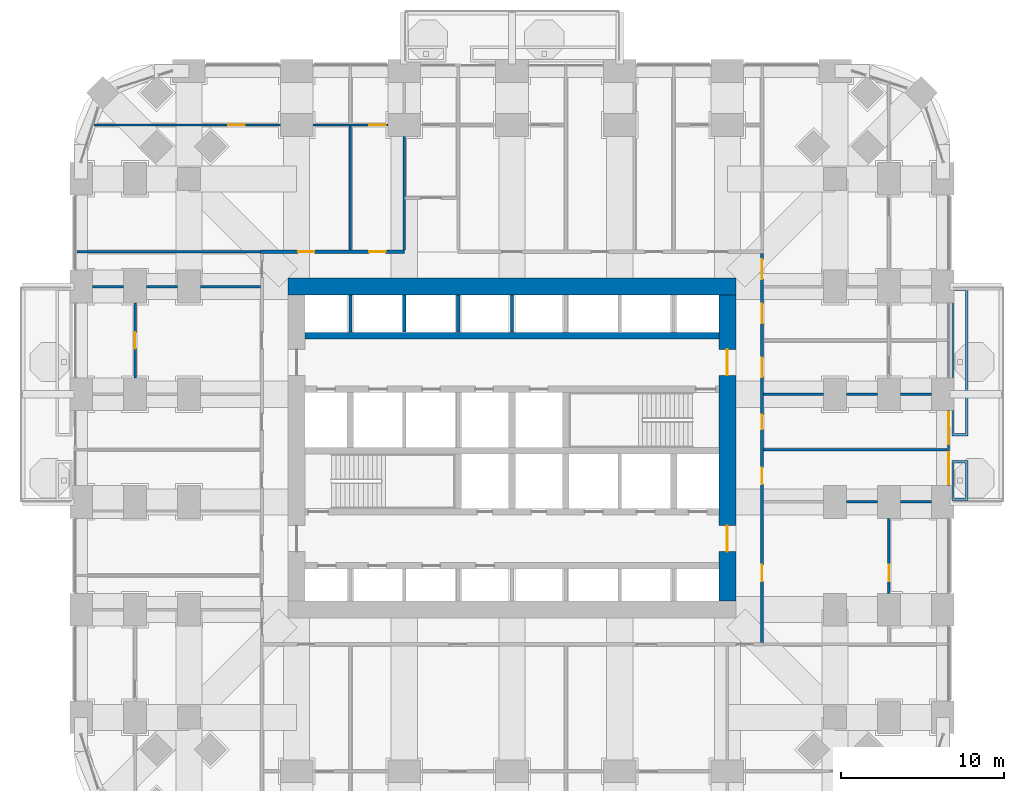
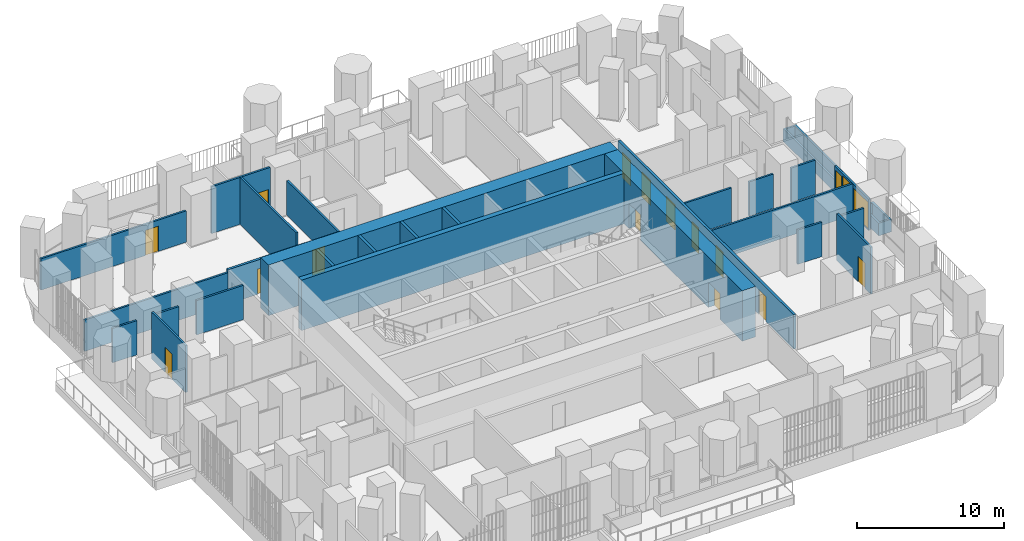
# One storey, part 18 of 25: 28 walls, 15 doors, 2 windows, 17 openings.
"""IFC4 building model written with IfcOpenShell, lengths in metres."""

from ifc_helpers import new_model, si_unit, direction, frame, frame_2d, origin, place, context, subcontext, project, spatial, polyline, rectangle, outline, extrude, material, layer, layer_set, type_object, element, fill, save


model = new_model("IFC4")

# Units and contexts
model_context = context("Model", 3, precision=1e-05, world=origin(), true_north=direction((0.0, 1.0)))
body_context = subcontext(model_context, "Body", "Model", "MODEL_VIEW")
ifc_project = project(units=[si_unit("LENGTHUNIT", "METRE"), si_unit("AREAUNIT", "SQUARE_METRE"), si_unit("VOLUMEUNIT", "CUBIC_METRE"), si_unit("PLANEANGLEUNIT", "RADIAN"), si_unit("MASSUNIT", "GRAM", prefix="KILO")], contexts=[model_context])

# Site, building, storey
site_placement = place(None, origin())
site = spatial("IfcSite", under=ifc_project, at=site_placement, CompositionType="ELEMENT")
building_placement = place(site_placement, origin())
building = spatial("IfcBuilding", under=site, at=building_placement, Name="Cobogo Forest Laboratory Tower", CompositionType="ELEMENT")
storey_placement = place(building_placement, frame((0.0, 0.0, 67.5)))
storey = spatial("IfcBuildingStorey", under=building, at=storey_placement, Name="L15", CompositionType="ELEMENT", Elevation=67.5)

# Wall
ifc_material_1 = material(Name="Concrete HA-50 (C50/60)", Category="concrete")
ifc_layer_1 = layer(ifc_material_1, 0.39990234375)
ifc_layer_set_1 = layer_set([ifc_layer_1], Name="CI400 core inner wall 400")
wall_type_1 = type_object("IfcWallType", Name="CI400 core inner wall 400", PredefinedType="SHEAR", material=ifc_layer_set_1)
wall_1_placement = place(storey_placement, frame((13.72509765625, 30.0, 0.0), z_axis=(0.0, 0.0, 1.0), x_axis=(1.0, 0.0, 0.0)))
element("IfcWall", 1, at=wall_1_placement, inside=storey, type_object=wall_type_1, Name="Core wall CI-30.0 L15", PredefinedType="SHEAR", context=body_context, shape_type="SweptSolid", body=[
    extrude(rectangle(XDim=25.349853515625, YDim=0.39990234375, at=frame_2d((12.6748046875, 0.0))), origin(), (0.0, 0.0, 1.0), 4.199951171875),
])

# Wall, openings, doors
ifc_layer_2 = layer(ifc_material_1, 1.050048828125)
ifc_layer_set_2 = layer_set([ifc_layer_2], Name="CW1050 core outer wall 1050")
wall_type_2 = type_object("IfcWallType", Name="CW1050 core outer wall 1050", PredefinedType="SHEAR", material=ifc_layer_set_2)
wall_2_placement = place(storey_placement, frame((39.60009765625, 13.72509765625, 0.0), z_axis=(0.0, 0.0, 1.0), x_axis=(0.0, 1.0, 0.0)))
wall_2 = element("IfcWall", 2, at=wall_2_placement, inside=storey, type_object=wall_type_2, Name="Core wall CO-E L15", PredefinedType="SHEAR", context=body_context, shape_type="SweptSolid", body=[
    extrude(rectangle(XDim=18.75, YDim=1.050048828125, at=frame_2d((9.375, 0.0))), origin(), (0.0, 0.0, 1.0), 4.199951171875),
])
opening_1_placement = place(wall_2_placement, frame((3.02490234375, 0.0, 0.0)))
opening_1 = element("IfcOpeningElement", 3, at=opening_1_placement, cuts=wall_2, Name="Opening L15-D17", PredefinedType="OPENING", context=body_context, shape_type="SweptSolid", body=[
    extrude(rectangle(XDim=1.60009765625, YDim=2.10009765625, at=frame_2d((0.800048828125, 1.050048828125))), frame((0.0, 0.534912109375, 0.0), z_axis=(0.0, -1.0, 0.0), x_axis=(1.0, 0.0, 0.0)), (0.0, 0.0, 1.0), 1.070068359375),
])
opening_2_placement = place(wall_2_placement, frame((13.824951171875, 0.0, 0.0)))
opening_2 = element("IfcOpeningElement", 4, at=opening_2_placement, cuts=wall_2, Name="Opening L15-D31", PredefinedType="OPENING", context=body_context, shape_type="SweptSolid", body=[
    extrude(rectangle(XDim=1.60009765625, YDim=2.10009765625, at=frame_2d((0.800048828125, 1.050048828125))), frame((0.0, 0.534912109375, 0.0), z_axis=(0.0, -1.0, 0.0), x_axis=(1.0, 0.0, 0.0)), (0.0, 0.0, 1.0), 1.070068359375),
])
ifc_material_2 = material(Name="Steel fire door", Category="steel")
door_type_1 = type_object("IfcDoorType", Name="DS2 protected lobby door pair 1600 EI2 60", OperationType="DOUBLE_DOOR_DOUBLE_SWING", PredefinedType="DOOR", material=ifc_material_2)
door_1_placement = place(opening_1_placement, origin())
door_1 = element("IfcDoor", 5, at=door_1_placement, inside=storey, type_object=door_type_1, Name="Door L15-CO-E-S", OperationType="DOUBLE_DOOR_DOUBLE_SWING", OverallHeight=2.10009765625, OverallWidth=1.60009765625, PredefinedType="DOOR", context=body_context, shape_type="SweptSolid", body=[
    extrude(rectangle(XDim=1.60009765625, YDim=2.10009765625, at=frame_2d((0.800048828125, 1.050048828125))), frame((0.0, 0.02490234375, 0.0), z_axis=(0.0, -1.0, 0.0), x_axis=(1.0, 0.0, 0.0)), (0.0, 0.0, 1.0), 0.050048828125),
])
fill(opening_1, door_1)
door_2_placement = place(opening_2_placement, origin())
door_2 = element("IfcDoor", 6, at=door_2_placement, inside=storey, type_object=door_type_1, Name="Door L15-CO-E-N", OperationType="DOUBLE_DOOR_DOUBLE_SWING", OverallHeight=2.10009765625, OverallWidth=1.60009765625, PredefinedType="DOOR", context=body_context, shape_type="SweptSolid", body=[
    extrude(rectangle(XDim=1.60009765625, YDim=2.10009765625, at=frame_2d((0.800048828125, 1.050048828125))), frame((0.0, 0.02490234375, 0.0), z_axis=(0.0, -1.0, 0.0), x_axis=(1.0, 0.0, 0.0)), (0.0, 0.0, 1.0), 0.050048828125),
])
fill(opening_2, door_2)

# Wall
wall_3_placement = place(storey_placement, frame((40.125, 33.0, 0.0), z_axis=(0.0, 0.0, 1.0), x_axis=(-1.0, 0.0, 0.0)))
element("IfcWall", 7, at=wall_3_placement, inside=storey, type_object=wall_type_2, Name="Core wall CO-N L15", PredefinedType="SHEAR", context=body_context, shape_type="SweptSolid", body=[
    extrude(rectangle(XDim=27.449951171875, YDim=1.050048828125, at=frame_2d((13.72509765625, 0.0))), origin(), (0.0, 0.0, 1.0), 4.199951171875),
])

# Wall, openings, door, windows
ifc_material_3 = material(Name="Aluminium framed glazed screen", Category="aluminium")
ifc_layer_3 = layer(ifc_material_3, 0.14990234375)
ifc_layer_set_3 = layer_set([ifc_layer_3], Name="GS1 glazed door screen 150")
wall_type_3 = type_object("IfcWallType", Name="GS1 glazed door screen 150", PredefinedType="SOLIDWALL", material=ifc_layer_set_3)
wall_4_placement = place(storey_placement, frame((53.14990234375, 20.800048828125, 0.0), z_axis=(0.0, 0.0, 1.0), x_axis=(0.0, 1.0, 0.0)))
wall_4 = element("IfcWall", 8, at=wall_4_placement, inside=storey, type_object=wall_type_3, Name="Door screen BAL-E1 L15", PredefinedType="SOLIDWALL", context=body_context, shape_type="SweptSolid", body=[
    extrude(rectangle(XDim=4.599853515625, YDim=0.14990234375, at=frame_2d((2.2998046875, 0.0))), origin(), (0.0, 0.0, 1.0), 2.60009765625),
])
opening_3_placement = place(wall_4_placement, frame((2.550048828125, 0.0, 0.0)))
opening_3 = element("IfcOpeningElement", 9, at=opening_3_placement, cuts=wall_4, Name="Opening L15-D24", PredefinedType="OPENING", context=body_context, shape_type="SweptSolid", body=[
    extrude(rectangle(XDim=1.0, YDim=2.39990234375, at=frame_2d((0.5, 1.199951171875))), frame((0.0, 0.0849609375, 0.0), z_axis=(0.0, -1.0, 0.0), x_axis=(1.0, 0.0, 0.0)), (0.0, 0.0, 1.0), 0.169921875),
])
opening_4_placement = place(wall_4_placement, frame((0.10009765625, 0.0, 0.10009765625)))
opening_4 = element("IfcOpeningElement", 10, at=opening_4_placement, cuts=wall_4, Name="Opening L15-W04", PredefinedType="OPENING", context=body_context, shape_type="SweptSolid", body=[
    extrude(rectangle(XDim=1.949951171875, YDim=2.199951171875, at=frame_2d((0.97509765625, 1.10009765625))), frame((0.0, 0.0849609375, 0.0), z_axis=(0.0, -1.0, 0.0), x_axis=(1.0, 0.0, 0.0)), (0.0, 0.0, 1.0), 0.169921875),
])
opening_5_placement = place(wall_4_placement, frame((3.64990234375, 0.0, 0.10009765625)))
opening_5 = element("IfcOpeningElement", 11, at=opening_5_placement, cuts=wall_4, Name="Opening L15-W06", PredefinedType="OPENING", context=body_context, shape_type="SweptSolid", body=[
    extrude(rectangle(XDim=0.85009765625, YDim=2.199951171875, at=frame_2d((0.425048828125, 1.10009765625))), frame((0.0, 0.0849609375, 0.0), z_axis=(0.0, -1.0, 0.0), x_axis=(1.0, 0.0, 0.0)), (0.0, 0.0, 1.0), 0.169921875),
])
ifc_material_4 = material(Name="Aluminium glazed door", Category="aluminium")
door_type_2 = type_object("IfcDoorType", Name="DB1 balcony door 1000 glazed", OperationType="SINGLE_SWING_LEFT", PredefinedType="DOOR", material=ifc_material_4)
door_3_placement = place(opening_3_placement, origin())
door_3 = element("IfcDoor", 12, at=door_3_placement, inside=storey, type_object=door_type_2, Name="Door L15-BAL-E1", OperationType="SINGLE_SWING_RIGHT", OverallHeight=2.39990234375, OverallWidth=1.0, PredefinedType="DOOR", context=body_context, shape_type="SweptSolid", body=[
    extrude(rectangle(XDim=1.0, YDim=2.39990234375, at=frame_2d((0.5, 1.199951171875))), frame((0.0, 0.02490234375, 0.0), z_axis=(0.0, -1.0, 0.0), x_axis=(1.0, 0.0, 0.0)), (0.0, 0.0, 1.0), 0.050048828125),
])
fill(opening_3, door_3)
ifc_material_5 = material(Name="Aluminium framed glazing", Category="aluminium")
window_type_1 = type_object("IfcWindowType", Name="WG7 fixed glazed light 1950x2200", PartitioningType="SINGLE_PANEL", PredefinedType="WINDOW", material=ifc_material_5)
window_1_placement = place(opening_4_placement, origin())
window_1 = element("IfcWindow", 13, at=window_1_placement, inside=storey, type_object=window_type_1, Name="Window L15-BAL-E1-1", OverallHeight=2.199951171875, OverallWidth=1.949951171875, PartitioningType="SINGLE_PANEL", PredefinedType="WINDOW", context=body_context, shape_type="SweptSolid", body=[
    extrude(rectangle(XDim=1.949951171875, YDim=2.199951171875, at=frame_2d((0.97509765625, 1.10009765625))), frame((0.0, 0.030029296875, 0.0), z_axis=(0.0, -1.0, 0.0), x_axis=(1.0, 0.0, 0.0)), (0.0, 0.0, 1.0), 0.06005859375),
])
fill(opening_4, window_1)
window_type_2 = type_object("IfcWindowType", Name="WG8 fixed glazed light 850x2200", PartitioningType="SINGLE_PANEL", PredefinedType="WINDOW", material=ifc_material_5)
window_2_placement = place(opening_5_placement, origin())
window_2 = element("IfcWindow", 14, at=window_2_placement, inside=storey, type_object=window_type_2, Name="Window L15-BAL-E1-2", OverallHeight=2.199951171875, OverallWidth=0.85009765625, PartitioningType="SINGLE_PANEL", PredefinedType="WINDOW", context=body_context, shape_type="SweptSolid", body=[
    extrude(rectangle(XDim=0.85009765625, YDim=2.199951171875, at=frame_2d((0.425048828125, 1.10009765625))), frame((0.0, 0.030029296875, 0.0), z_axis=(0.0, -1.0, 0.0), x_axis=(1.0, 0.0, 0.0)), (0.0, 0.0, 1.0), 0.06005859375),
])
fill(opening_5, window_2)

# Wall
ifc_material_6 = material(Name="Gypsum board on steel studs", Category="steel")
ifc_layer_4 = layer(ifc_material_6, 0.14990234375)
ifc_layer_set_4 = layer_set([ifc_layer_4], Name="PT1 laboratory partition 150")
wall_type_4 = type_object("IfcWallType", Name="PT1 laboratory partition 150", PredefinedType="PARTITIONING", material=ifc_layer_set_4)
wall_5_placement = place(storey_placement, frame((-0.27001953125, 35.125, 0.0), z_axis=(0.0, 0.0, 1.0), x_axis=(1.0, 0.0, 0.0)))
element("IfcWall", 15, at=wall_5_placement, inside=storey, type_object=wall_type_4, Name="Partition PW-NW L15", PredefinedType="PARTITIONING", context=body_context, shape_type="SweptSolid", body=[
    extrude(rectangle(XDim=11.2451171875, YDim=0.14990234375, at=frame_2d((5.62255859375, 0.0))), origin(), (0.0, 0.0, 1.0), 2.60009765625),
])

# Wall, opening, door
wall_6_placement = place(storey_placement, frame((49.5, 14.199951171875, 0.0), z_axis=(0.0, 0.0, 1.0), x_axis=(0.0, 1.0, 0.0)))
wall_6 = element("IfcWall", 16, at=wall_6_placement, inside=storey, type_object=wall_type_4, Name="Partition STRIP-E-2 L15", PredefinedType="PARTITIONING", context=body_context, shape_type="SweptSolid", body=[
    extrude(rectangle(XDim=4.60009765625, YDim=0.14990234375, at=frame_2d((2.300048828125, 0.0))), origin(), (0.0, 0.0, 1.0), 3.89990234375),
])
opening_6_placement = place(wall_6_placement, frame((0.737548828125, 0.0, 0.0)))
opening_6 = element("IfcOpeningElement", 17, at=opening_6_placement, cuts=wall_6, Name="Opening L15-D14", PredefinedType="OPENING", context=body_context, shape_type="SweptSolid", body=[
    extrude(rectangle(XDim=1.0, YDim=2.10009765625, at=frame_2d((0.5, 1.050048828125))), frame((0.0, 0.0849609375, 0.0), z_axis=(0.0, -1.0, 0.0), x_axis=(1.0, 0.0, 0.0)), (0.0, 0.0, 1.0), 0.169921875),
])
ifc_material_7 = material(Name="Timber fire door", Category="wood")
door_type_3 = type_object("IfcDoorType", Name="FD2 fire door 1000 EI2 30", OperationType="SINGLE_SWING_LEFT", PredefinedType="DOOR", material=ifc_material_7)
door_4_placement = place(opening_6_placement, origin())
door_4 = element("IfcDoor", 18, at=door_4_placement, inside=storey, type_object=door_type_3, Name="Door L15-E1W", OperationType="SINGLE_SWING_LEFT", OverallHeight=2.10009765625, OverallWidth=1.0, PredefinedType="DOOR", context=body_context, shape_type="SweptSolid", body=[
    extrude(rectangle(XDim=1.0, YDim=2.10009765625, at=frame_2d((0.5, 1.050048828125))), frame((0.0, 0.02490234375, 0.0), z_axis=(0.0, -1.0, 0.0), x_axis=(1.0, 0.0, 0.0)), (0.0, 0.0, 1.0), 0.050048828125),
])
fill(opening_6, door_4)

# Walls
wall_7_placement = place(storey_placement, frame((53.070068359375, 23.0, 0.0), z_axis=(0.0, 0.0, 1.0), x_axis=(-1.0, 0.0, 0.0)))
element("IfcWall", 19, at=wall_7_placement, inside=storey, type_object=wall_type_4, Name="Partition SVC-E1-1 L15", PredefinedType="PARTITIONING", context=body_context, shape_type="SweptSolid", body=[
    extrude(rectangle(XDim=11.2451171875, YDim=0.14990234375, at=frame_2d((5.62255859375, 0.0))), origin(), (0.0, 0.0, 1.0), 2.60009765625),
])
for number, where, z_axis, x_axis, name in (
    (20, (52.10009765625, 26.39990234375, 0.0), (0.0, 0.0, 1.0), (-1.0, 0.0, 0.0), "Partition SVC-E2-1 L15"),
    (21, (48.800048828125, 26.39990234375, 0.0), (0.0, 0.0, 1.0), (-1.0, 0.0, 0.0), "Partition SVC-E2-2 L15"),
):
    element("IfcWall", number, at=place(storey_placement, frame(where, z_axis=z_axis, x_axis=x_axis)), inside=storey, type_object=wall_type_4, Name=name, PredefinedType="PARTITIONING", context=body_context, shape_type="SweptSolid", body=[
        extrude(rectangle(XDim=1.900146484375, YDim=0.14990234375, at=frame_2d((0.9501953125, 0.0))), origin(), (0.0, 0.0, 1.0), 2.85009765625),
    ])
wall_8_placement = place(storey_placement, frame((45.5, 26.39990234375, 0.0), z_axis=(0.0, 0.0, 1.0), x_axis=(-1.0, 0.0, 0.0)))
element("IfcWall", 22, at=wall_8_placement, inside=storey, type_object=wall_type_4, Name="Partition SVC-E2-3 L15", PredefinedType="PARTITIONING", context=body_context, shape_type="SweptSolid", body=[
    extrude(rectangle(XDim=3.675048828125, YDim=0.14990234375, at=frame_2d((1.83740234375, 0.0))), origin(), (0.0, 0.0, 1.0), 2.85009765625),
])
for number, where, z_axis, x_axis, name in (
    (23, (52.10009765625, 19.800048828125, 0.0), (0.0, 0.0, 1.0), (-1.0, 0.0, 0.0), "Partition CUT-E19.8-1 L15"),
    (24, (48.800048828125, 19.800048828125, 0.0), (0.0, 0.0, 1.0), (-1.0, 0.0, 0.0), "Partition CUT-E19.8-2 L15"),
):
    element("IfcWall", number, at=place(storey_placement, frame(where, z_axis=z_axis, x_axis=x_axis)), inside=storey, type_object=wall_type_4, Name=name, PredefinedType="PARTITIONING", context=body_context, shape_type="SweptSolid", body=[
        extrude(rectangle(XDim=1.900146484375, YDim=0.14990234375, at=frame_2d((0.9501953125, 0.0))), origin(), (0.0, 0.0, 1.0), 2.85009765625),
    ])

# Wall, opening, door
wall_9_placement = place(storey_placement, frame((18.800048828125, 42.89990234375, 0.0), z_axis=(0.0, 0.0, 1.0), x_axis=(-1.0, 0.0, 0.0)))
wall_9 = element("IfcWall", 25, at=wall_9_placement, inside=storey, type_object=wall_type_4, Name="Partition STRIP-N-5 L15", PredefinedType="PARTITIONING", context=body_context, shape_type="SweptSolid", body=[
    extrude(rectangle(XDim=4.60009765625, YDim=0.14990234375, at=frame_2d((2.300048828125, 0.0))), origin(), (0.0, 0.0, 1.0), 3.89990234375),
])
opening_7_placement = place(wall_9_placement, frame((0.14990234375, 0.0, 0.0)))
opening_7 = element("IfcOpeningElement", 26, at=opening_7_placement, cuts=wall_9, Name="Opening L15-D47", PredefinedType="OPENING", context=body_context, shape_type="SweptSolid", body=[
    extrude(rectangle(XDim=1.0, YDim=2.10009765625, at=frame_2d((0.5, 1.050048828125))), frame((0.0, 0.0849609375, 0.0), z_axis=(0.0, -1.0, 0.0), x_axis=(1.0, 0.0, 0.0)), (0.0, 0.0, 1.0), 0.169921875),
])
door_5_placement = place(opening_7_placement, origin())
door_5 = element("IfcDoor", 27, at=door_5_placement, inside=storey, type_object=door_type_3, Name="Door L15-N2W", OperationType="SINGLE_SWING_LEFT", OverallHeight=2.10009765625, OverallWidth=1.0, PredefinedType="DOOR", context=body_context, shape_type="SweptSolid", body=[
    extrude(rectangle(XDim=1.0, YDim=2.10009765625, at=frame_2d((0.5, 1.050048828125))), frame((0.0, 0.02490234375, 0.0), z_axis=(0.0, -1.0, 0.0), x_axis=(1.0, 0.0, 0.0)), (0.0, 0.0, 1.0), 0.050048828125),
])
fill(opening_7, door_5)

wall_10_placement = place(storey_placement, frame((12.199951171875, 42.89990234375, 0.0), z_axis=(0.0, 0.0, 1.0), x_axis=(-1.0, 0.0, 0.0)))
wall_10 = element("IfcWall", 28, at=wall_10_placement, inside=storey, type_object=wall_type_4, Name="Partition STRIP-N-6 L15", PredefinedType="PARTITIONING", context=body_context, shape_type="SweptSolid", body=[
    extrude(rectangle(XDim=11.423828125, YDim=0.14990234375, at=frame_2d((5.7119140625, 0.0))), origin(), (0.0, 0.0, 1.0), 2.60009765625),
])
opening_8_placement = place(wall_10_placement, frame((2.192138671875, 0.0, 0.0)))
opening_8 = element("IfcOpeningElement", 29, at=opening_8_placement, cuts=wall_10, Name="Opening L15-D46", PredefinedType="OPENING", context=body_context, shape_type="SweptSolid", body=[
    extrude(rectangle(XDim=1.0, YDim=2.10009765625, at=frame_2d((0.5, 1.050048828125))), frame((0.0, 0.0849609375, 0.0), z_axis=(0.0, -1.0, 0.0), x_axis=(1.0, 0.0, 0.0)), (0.0, 0.0, 1.0), 0.169921875),
])
door_6_placement = place(opening_8_placement, origin())
door_6 = element("IfcDoor", 30, at=door_6_placement, inside=storey, type_object=door_type_3, Name="Door L15-N1W", OperationType="SINGLE_SWING_LEFT", OverallHeight=2.10009765625, OverallWidth=1.0, PredefinedType="DOOR", context=body_context, shape_type="SweptSolid", body=[
    extrude(rectangle(XDim=1.0, YDim=2.10009765625, at=frame_2d((0.5, 1.050048828125))), frame((0.0, 0.02490234375, 0.0), z_axis=(0.0, -1.0, 0.0), x_axis=(1.0, 0.0, 0.0)), (0.0, 0.0, 1.0), 0.050048828125),
])
fill(opening_8, door_6)

# Walls
wall_11_placement = place(storey_placement, frame((16.5, 42.824951171875, 0.0), z_axis=(0.0, 0.0, 1.0), x_axis=(0.0, -1.0, 0.0)))
element("IfcWall", 31, at=wall_11_placement, inside=storey, type_object=wall_type_4, Name="Partition CUT-N16.5b-1 L15", PredefinedType="PARTITIONING", context=body_context, shape_type="SweptSolid", body=[
    extrude(rectangle(XDim=7.599853515625, YDim=0.14990234375, at=frame_2d((3.7998046875, 0.0))), origin(), (0.0, 0.0, 1.0), 3.89990234375),
])
wall_12_placement = place(storey_placement, frame((19.800048828125, 42.199951171875, 0.0), z_axis=(0.0, 0.0, 1.0), x_axis=(0.0, -1.0, 0.0)))
element("IfcWall", 32, at=wall_12_placement, inside=storey, type_object=wall_type_4, Name="Partition CUT-N19.8b-1 L15", PredefinedType="PARTITIONING", context=body_context, shape_type="SweptSolid", body=[
    extrude(rectangle(XDim=6.974853515625, YDim=0.14990234375, at=frame_2d((3.4873046875, 0.0))), origin(), (0.0, 0.0, 1.0), 2.85009765625),
])

# Wall, opening, door
wall_13_placement = place(storey_placement, frame((3.300048828125, 32.0, 0.0), z_axis=(0.0, 0.0, 1.0), x_axis=(0.0, -1.0, 0.0)))
wall_13 = element("IfcWall", 33, at=wall_13_placement, inside=storey, type_object=wall_type_4, Name="Partition STRIP-W-1 L15", PredefinedType="PARTITIONING", context=body_context, shape_type="SweptSolid", body=[
    extrude(rectangle(XDim=4.60009765625, YDim=0.14990234375, at=frame_2d((2.300048828125, 0.0))), origin(), (0.0, 0.0, 1.0), 3.89990234375),
])
opening_9_placement = place(wall_13_placement, frame((1.800048828125, 0.0, 0.0)))
opening_9 = element("IfcOpeningElement", 34, at=opening_9_placement, cuts=wall_13, Name="Opening L15-D32", PredefinedType="OPENING", context=body_context, shape_type="SweptSolid", body=[
    extrude(rectangle(XDim=1.0, YDim=2.10009765625, at=frame_2d((0.5, 1.050048828125))), frame((0.0, 0.0849609375, 0.0), z_axis=(0.0, -1.0, 0.0), x_axis=(1.0, 0.0, 0.0)), (0.0, 0.0, 1.0), 0.169921875),
])
door_7_placement = place(opening_9_placement, origin())
door_7 = element("IfcDoor", 35, at=door_7_placement, inside=storey, type_object=door_type_3, Name="Door L15-W3W", OperationType="SINGLE_SWING_RIGHT", OverallHeight=2.10009765625, OverallWidth=1.0, PredefinedType="DOOR", context=body_context, shape_type="SweptSolid", body=[
    extrude(rectangle(XDim=1.0, YDim=2.10009765625, at=frame_2d((0.5, 1.050048828125))), frame((0.0, 0.02490234375, 0.0), z_axis=(0.0, -1.0, 0.0), x_axis=(1.0, 0.0, 0.0)), (0.0, 0.0, 1.0), 0.050048828125),
])
fill(opening_9, door_7)

# Walls
wall_14_placement = place(storey_placement, frame((0.699951171875, 33.0, 0.0), z_axis=(0.0, 0.0, 1.0), x_axis=(1.0, 0.0, 0.0)))
element("IfcWall", 36, at=wall_14_placement, inside=storey, type_object=wall_type_4, Name="Partition CUT-W33-1 L15", PredefinedType="PARTITIONING", context=body_context, shape_type="SweptSolid", body=[
    extrude(rectangle(XDim=1.900146484375, YDim=0.14990234375, at=frame_2d((0.9501953125, 0.0))), origin(), (0.0, 0.0, 1.0), 2.85009765625),
])
wall_15_placement = place(storey_placement, frame((4.0, 33.0, 0.0), z_axis=(0.0, 0.0, 1.0), x_axis=(1.0, 0.0, 0.0)))
element("IfcWall", 37, at=wall_15_placement, inside=storey, type_object=wall_type_4, Name="Partition CUT-W33-2 L15", PredefinedType="PARTITIONING", context=body_context, shape_type="SweptSolid", body=[
    extrude(rectangle(XDim=1.89990234375, YDim=0.14990234375, at=frame_2d((0.949951171875, 0.0))), origin(), (0.0, 0.0, 1.0), 2.85009765625),
])
wall_16_placement = place(storey_placement, frame((7.300048828125, 33.0, 0.0), z_axis=(0.0, 0.0, 1.0), x_axis=(1.0, 0.0, 0.0)))
element("IfcWall", 38, at=wall_16_placement, inside=storey, type_object=wall_type_4, Name="Partition CUT-W33-3 L15", PredefinedType="PARTITIONING", context=body_context, shape_type="SweptSolid", body=[
    extrude(rectangle(XDim=3.675048828125, YDim=0.14990234375, at=frame_2d((1.83740234375, 0.0))), origin(), (0.0, 0.0, 1.0), 2.85009765625),
])

# Wall, openings, doors
ifc_layer_5 = layer(ifc_material_6, 0.199951171875)
ifc_layer_set_5 = layer_set([ifc_layer_5], Name="PT2 fire-rated corridor partition 200")
wall_type_5 = type_object("IfcWallType", Name="PT2 fire-rated corridor partition 200", PredefinedType="PARTITIONING", material=ifc_layer_set_5)
wall_17_placement = place(storey_placement, frame((10.97509765625, 35.125, 0.0), z_axis=(0.0, 0.0, 1.0), x_axis=(1.0, 0.0, 0.0)))
wall_17 = element("IfcWall", 39, at=wall_17_placement, inside=storey, type_object=wall_type_5, Name="Partition CORR-N-1 L15", PredefinedType="PARTITIONING", context=body_context, shape_type="SweptSolid", body=[
    extrude(rectangle(XDim=8.824951171875, YDim=0.199951171875, at=frame_2d((4.41259765625, 0.0))), origin(), (0.0, 0.0, 1.0), 2.85009765625),
])
opening_10_placement = place(wall_17_placement, frame((2.3125, 0.0, 0.0)))
opening_10 = element("IfcOpeningElement", 40, at=opening_10_placement, cuts=wall_17, Name="Opening L15-D38", PredefinedType="OPENING", context=body_context, shape_type="SweptSolid", body=[
    extrude(rectangle(XDim=1.0, YDim=2.10009765625, at=frame_2d((0.5, 1.050048828125))), frame((0.0, 0.10986328125, 0.0), z_axis=(0.0, -1.0, 0.0), x_axis=(1.0, 0.0, 0.0)), (0.0, 0.0, 1.0), 0.219970703125),
])
opening_11_placement = place(wall_17_placement, frame((6.675048828125, 0.0, 0.0)))
opening_11 = element("IfcOpeningElement", 41, at=opening_11_placement, cuts=wall_17, Name="Opening L15-D39", PredefinedType="OPENING", context=body_context, shape_type="SweptSolid", body=[
    extrude(rectangle(XDim=1.0, YDim=2.10009765625, at=frame_2d((0.5, 1.050048828125))), frame((0.0, 0.10986328125, 0.0), z_axis=(0.0, -1.0, 0.0), x_axis=(1.0, 0.0, 0.0)), (0.0, 0.0, 1.0), 0.219970703125),
])
door_8_placement = place(opening_10_placement, origin())
door_8 = element("IfcDoor", 42, at=door_8_placement, inside=storey, type_object=door_type_3, Name="Door L15-N1", OperationType="SINGLE_SWING_LEFT", OverallHeight=2.10009765625, OverallWidth=1.0, PredefinedType="DOOR", context=body_context, shape_type="SweptSolid", body=[
    extrude(rectangle(XDim=1.0, YDim=2.10009765625, at=frame_2d((0.5, 1.050048828125))), frame((0.0, 0.02490234375, 0.0), z_axis=(0.0, -1.0, 0.0), x_axis=(1.0, 0.0, 0.0)), (0.0, 0.0, 1.0), 0.050048828125),
])
fill(opening_10, door_8)
door_9_placement = place(opening_11_placement, origin())
door_9 = element("IfcDoor", 43, at=door_9_placement, inside=storey, type_object=door_type_3, Name="Door L15-N2", OperationType="SINGLE_SWING_RIGHT", OverallHeight=2.10009765625, OverallWidth=1.0, PredefinedType="DOOR", context=body_context, shape_type="SweptSolid", body=[
    extrude(rectangle(XDim=1.0, YDim=2.10009765625, at=frame_2d((0.5, 1.050048828125))), frame((0.0, 0.02490234375, 0.0), z_axis=(0.0, -1.0, 0.0), x_axis=(1.0, 0.0, 0.0)), (0.0, 0.0, 1.0), 0.050048828125),
])
fill(opening_11, door_9)

wall_18_placement = place(storey_placement, frame((41.72509765625, 11.175048828125, 0.0), z_axis=(0.0, 0.0, 1.0), x_axis=(0.0, 1.0, 0.0)))
wall_18 = element("IfcWall", 44, at=wall_18_placement, inside=storey, type_object=wall_type_5, Name="Partition CORR-E L15", PredefinedType="PARTITIONING", context=body_context, shape_type="SweptSolid", body=[
    extrude(rectangle(XDim=23.849853515625, YDim=0.199951171875, at=frame_2d((11.9248046875, 0.0))), origin(), (0.0, 0.0, 1.0), 2.85009765625),
])
opening_12_placement = place(wall_18_placement, frame((3.762451171875, 0.0, 0.0)))
opening_12 = element("IfcOpeningElement", 45, at=opening_12_placement, cuts=wall_18, Name="Opening L15-D13", PredefinedType="OPENING", context=body_context, shape_type="SweptSolid", body=[
    extrude(rectangle(XDim=1.0, YDim=2.10009765625, at=frame_2d((0.5, 1.050048828125))), frame((0.0, 0.10986328125, 0.0), z_axis=(0.0, -1.0, 0.0), x_axis=(1.0, 0.0, 0.0)), (0.0, 0.0, 1.0), 0.219970703125),
])
opening_13_placement = place(wall_18_placement, frame((9.72509765625, 0.0, 0.0)))
opening_13 = element("IfcOpeningElement", 46, at=opening_13_placement, cuts=wall_18, Name="Opening L15-D22", PredefinedType="OPENING", context=body_context, shape_type="SweptSolid", body=[
    extrude(rectangle(XDim=1.0, YDim=2.10009765625, at=frame_2d((0.5, 1.050048828125))), frame((0.0, 0.10986328125, 0.0), z_axis=(0.0, -1.0, 0.0), x_axis=(1.0, 0.0, 0.0)), (0.0, 0.0, 1.0), 0.219970703125),
])
opening_14_placement = place(wall_18_placement, frame((13.074951171875, 0.0, 0.0)))
opening_14 = element("IfcOpeningElement", 47, at=opening_14_placement, cuts=wall_18, Name="Opening L15-D26", PredefinedType="OPENING", context=body_context, shape_type="SweptSolid", body=[
    extrude(rectangle(XDim=0.89990234375, YDim=2.10009765625, at=frame_2d((0.449951171875, 1.050048828125))), frame((0.0, 0.10986328125, 0.0), z_axis=(0.0, -1.0, 0.0), x_axis=(1.0, 0.0, 0.0)), (0.0, 0.0, 1.0), 0.219970703125),
])
opening_15_placement = place(wall_18_placement, frame((16.27490234375, 0.0, 0.0)))
opening_15 = element("IfcOpeningElement", 48, at=opening_15_placement, cuts=wall_18, Name="Opening L15-D28", PredefinedType="OPENING", context=body_context, shape_type="SweptSolid", body=[
    extrude(rectangle(XDim=1.199951171875, YDim=2.10009765625, at=frame_2d((0.60009765625, 1.050048828125))), frame((0.0, 0.10986328125, 0.0), z_axis=(0.0, -1.0, 0.0), x_axis=(1.0, 0.0, 0.0)), (0.0, 0.0, 1.0), 0.219970703125),
])
opening_16_placement = place(wall_18_placement, frame((19.574951171875, 0.0, 0.0)))
opening_16 = element("IfcOpeningElement", 49, at=opening_16_placement, cuts=wall_18, Name="Opening L15-D35", PredefinedType="OPENING", context=body_context, shape_type="SweptSolid", body=[
    extrude(rectangle(XDim=1.199951171875, YDim=2.10009765625, at=frame_2d((0.60009765625, 1.050048828125))), frame((0.0, 0.10986328125, 0.0), z_axis=(0.0, -1.0, 0.0), x_axis=(1.0, 0.0, 0.0)), (0.0, 0.0, 1.0), 0.219970703125),
])
opening_17_placement = place(wall_18_placement, frame((22.28759765625, 0.0, 0.0)))
opening_17 = element("IfcOpeningElement", 50, at=opening_17_placement, cuts=wall_18, Name="Opening L15-D37", PredefinedType="OPENING", context=body_context, shape_type="SweptSolid", body=[
    extrude(rectangle(XDim=1.199951171875, YDim=2.10009765625, at=frame_2d((0.60009765625, 1.050048828125))), frame((0.0, 0.10986328125, 0.0), z_axis=(0.0, -1.0, 0.0), x_axis=(1.0, 0.0, 0.0)), (0.0, 0.0, 1.0), 0.219970703125),
])
ifc_material_8 = material(Name="Timber door", Category="wood")
door_type_4 = type_object("IfcDoorType", Name="D2 laboratory door 1200 unequal pair", OperationType="DOUBLE_DOOR_SINGLE_SWING", PredefinedType="DOOR", material=ifc_material_8)
door_10_placement = place(opening_15_placement, origin())
door_10 = element("IfcDoor", 51, at=door_10_placement, inside=storey, type_object=door_type_4, Name="Door L15-E2", OperationType="DOUBLE_DOOR_SINGLE_SWING", OverallHeight=2.10009765625, OverallWidth=1.199951171875, PredefinedType="DOOR", context=body_context, shape_type="SweptSolid", body=[
    extrude(rectangle(XDim=1.199951171875, YDim=2.10009765625, at=frame_2d((0.60009765625, 1.050048828125))), frame((0.0, 0.02490234375, 0.0), z_axis=(0.0, -1.0, 0.0), x_axis=(1.0, 0.0, 0.0)), (0.0, 0.0, 1.0), 0.050048828125),
])
fill(opening_15, door_10)
door_11_placement = place(opening_16_placement, origin())
door_11 = element("IfcDoor", 52, at=door_11_placement, inside=storey, type_object=door_type_4, Name="Door L15-E3", OperationType="DOUBLE_DOOR_SINGLE_SWING", OverallHeight=2.10009765625, OverallWidth=1.199951171875, PredefinedType="DOOR", context=body_context, shape_type="SweptSolid", body=[
    extrude(rectangle(XDim=1.199951171875, YDim=2.10009765625, at=frame_2d((0.60009765625, 1.050048828125))), frame((0.0, 0.02490234375, 0.0), z_axis=(0.0, -1.0, 0.0), x_axis=(1.0, 0.0, 0.0)), (0.0, 0.0, 1.0), 0.050048828125),
])
fill(opening_16, door_11)
door_12_placement = place(opening_17_placement, origin())
door_12 = element("IfcDoor", 53, at=door_12_placement, inside=storey, type_object=door_type_4, Name="Door L15-E4", OperationType="DOUBLE_DOOR_SINGLE_SWING", OverallHeight=2.10009765625, OverallWidth=1.199951171875, PredefinedType="DOOR", context=body_context, shape_type="SweptSolid", body=[
    extrude(rectangle(XDim=1.199951171875, YDim=2.10009765625, at=frame_2d((0.60009765625, 1.050048828125))), frame((0.0, 0.02490234375, 0.0), z_axis=(0.0, -1.0, 0.0), x_axis=(1.0, 0.0, 0.0)), (0.0, 0.0, 1.0), 0.050048828125),
])
fill(opening_17, door_12)
door_type_5 = type_object("IfcDoorType", Name="FD1 fire door 1000 EI2 60", OperationType="SINGLE_SWING_LEFT", PredefinedType="DOOR", material=ifc_material_2)
door_13_placement = place(opening_12_placement, origin())
door_13 = element("IfcDoor", 54, at=door_13_placement, inside=storey, type_object=door_type_5, Name="Door L15-E1", OperationType="SINGLE_SWING_LEFT", OverallHeight=2.10009765625, OverallWidth=1.0, PredefinedType="DOOR", context=body_context, shape_type="SweptSolid", body=[
    extrude(rectangle(XDim=1.0, YDim=2.10009765625, at=frame_2d((0.5, 1.050048828125))), frame((0.0, 0.02490234375, 0.0), z_axis=(0.0, -1.0, 0.0), x_axis=(1.0, 0.0, 0.0)), (0.0, 0.0, 1.0), 0.050048828125),
])
fill(opening_12, door_13)
door_14_placement = place(opening_13_placement, origin())
door_14 = element("IfcDoor", 55, at=door_14_placement, inside=storey, type_object=door_type_5, Name="Door L15-ELEC", OperationType="SINGLE_SWING_LEFT", OverallHeight=2.10009765625, OverallWidth=1.0, PredefinedType="DOOR", context=body_context, shape_type="SweptSolid", body=[
    extrude(rectangle(XDim=1.0, YDim=2.10009765625, at=frame_2d((0.5, 1.050048828125))), frame((0.0, 0.02490234375, 0.0), z_axis=(0.0, -1.0, 0.0), x_axis=(1.0, 0.0, 0.0)), (0.0, 0.0, 1.0), 0.050048828125),
])
fill(opening_13, door_14)
door_type_6 = type_object("IfcDoorType", Name="FD4 riser access door 900 EI2 60", OperationType="SINGLE_SWING_LEFT", PredefinedType="DOOR", material=ifc_material_2)
door_15_placement = place(opening_14_placement, origin())
door_15 = element("IfcDoor", 56, at=door_15_placement, inside=storey, type_object=door_type_6, Name="Door L15-COMMS", OperationType="SINGLE_SWING_RIGHT", OverallHeight=2.10009765625, OverallWidth=0.89990234375, PredefinedType="DOOR", context=body_context, shape_type="SweptSolid", body=[
    extrude(rectangle(XDim=0.89990234375, YDim=2.10009765625, at=frame_2d((0.449951171875, 1.050048828125))), frame((0.0, 0.02490234375, 0.0), z_axis=(0.0, -1.0, 0.0), x_axis=(1.0, 0.0, 0.0)), (0.0, 0.0, 1.0), 0.050048828125),
])
fill(opening_14, door_15)

# Walls
ifc_material_9 = material(Name="Concrete HA-40 (C40/50)", Category="concrete")
ifc_layer_6 = layer(ifc_material_9, 0.14990234375)
ifc_layer_set_6 = layer_set([ifc_layer_6], Name="Planter box 1000x1050")
wall_type_6 = type_object("IfcWallType", Name="Planter box 1000x1050", PredefinedType="USERDEFINED", material=ifc_layer_set_6)
wall_19_placement = place(storey_placement, origin())
element("IfcWall", 57, at=wall_19_placement, inside=storey, type_object=wall_type_6, Name="Planter BAL-E1-1 L15", ObjectType="PLANTER", PredefinedType="USERDEFINED", context=body_context, shape_type="SweptSolid", body=[
    extrude(outline(polyline([(53.35009765625, 19.89990234375), (54.35009765625, 19.89990234375), (54.35009765625, 22.35009765625), (53.35009765625, 22.35009765625), (53.35009765625, 19.89990234375)]), holes=[polyline([(53.5, 20.050048828125), (54.199951171875, 20.050048828125), (54.199951171875, 22.199951171875), (53.5, 22.199951171875), (53.5, 20.050048828125)])]), origin(), (0.0, 0.0, 1.0), 1.050048828125),
])
wall_20_placement = place(storey_placement, origin())
element("IfcWall", 58, at=wall_20_placement, inside=storey, type_object=wall_type_6, Name="Planter BAL-E1-2 L15", ObjectType="PLANTER", PredefinedType="USERDEFINED", context=body_context, shape_type="SweptSolid", body=[
    extrude(outline(polyline([(53.35009765625, 23.85009765625), (54.35009765625, 23.85009765625), (54.35009765625, 32.89990234375), (53.35009765625, 32.89990234375), (53.35009765625, 23.85009765625)]), holes=[polyline([(53.5, 24.0), (54.199951171875, 24.0), (54.199951171875, 32.75), (53.5, 32.75), (53.5, 24.0)])]), origin(), (0.0, 0.0, 1.0), 1.050048828125),
])
ifc_material_10 = material(Name="Concrete block", Category="concrete")
ifc_layer_7 = layer(ifc_material_10, 0.199951171875)
ifc_layer_set_7 = layer_set([ifc_layer_7], Name="SW200 lift shaft separator 200")
wall_type_7 = type_object("IfcWallType", Name="SW200 lift shaft separator 200", PredefinedType="PARTITIONING", material=ifc_layer_set_7)
for number, where, z_axis, x_axis, name in (
    (59, (16.5, 30.199951171875, 0.0), (0.0, 0.0, 1.0), (0.0, 1.0, 0.0), "Core wall SEP-N1 L15"),
    (60, (19.800048828125, 30.199951171875, 0.0), (0.0, 0.0, 1.0), (0.0, 1.0, 0.0), "Core wall SEP-N2 L15"),
    (61, (23.10009765625, 30.199951171875, 0.0), (0.0, 0.0, 1.0), (0.0, 1.0, 0.0), "Core wall SEP-N3 L15"),
    (62, (26.39990234375, 30.199951171875, 0.0), (0.0, 0.0, 1.0), (0.0, 1.0, 0.0), "Core wall SEP-N4 L15"),
):
    element("IfcWall", number, at=place(storey_placement, frame(where, z_axis=z_axis, x_axis=x_axis)), inside=storey, type_object=wall_type_7, Name=name, PredefinedType="PARTITIONING", context=body_context, shape_type="SweptSolid", body=[
        extrude(rectangle(XDim=2.275146484375, YDim=0.199951171875, at=frame_2d((1.1376953125, 0.0))), origin(), (0.0, 0.0, 1.0), 4.199951171875),
    ])

save(model, "model.ifc")
